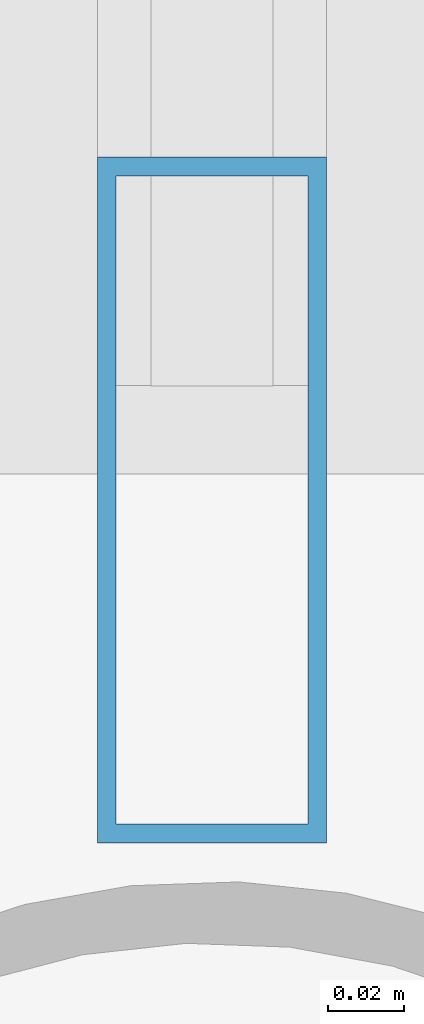
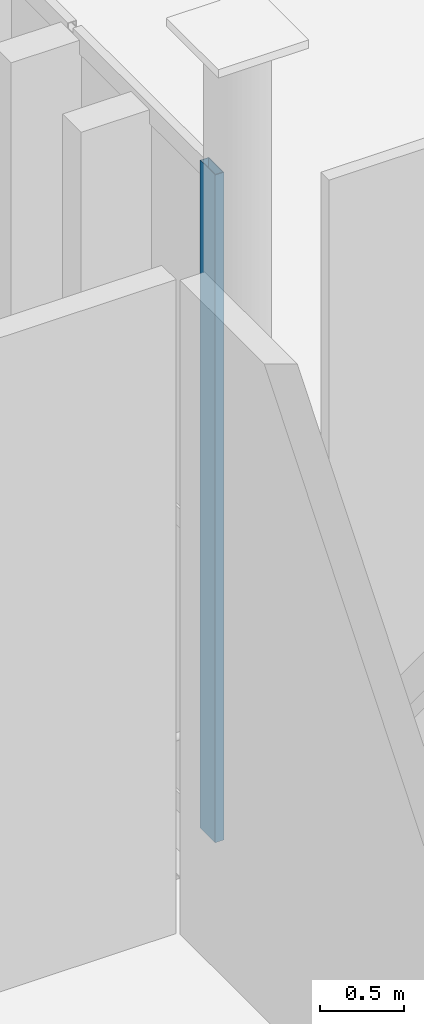
# One storey, part 88 of 237: 1 member, 1 element without a shape of its own.
"""IFC4 building model written with IfcOpenShell, lengths in metres."""

from ifc_helpers import new_model, si_unit, direction, frame, origin, origin_2d, place, context, subcontext, project, spatial, hollow_rectangle, extrude, material, layer, layer_set, material_profile, profile_set, type_object, element, aggregate, save


model = new_model("IFC4")

# Units and contexts
model_context = context("Model", 3, precision=1e-05, world=origin(), true_north=direction((0.0, 1.0)))
body_context = subcontext(model_context, "Body", "Model", "MODEL_VIEW")
ifc_project = project(units=[si_unit("LENGTHUNIT", "METRE"), si_unit("AREAUNIT", "SQUARE_METRE"), si_unit("VOLUMEUNIT", "CUBIC_METRE"), si_unit("PLANEANGLEUNIT", "RADIAN"), si_unit("MASSUNIT", "GRAM", prefix="KILO")], contexts=[model_context])

# Site, building, storey
site_placement = place(None, origin())
site = spatial("IfcSite", under=ifc_project, at=site_placement, CompositionType="ELEMENT")
building_placement = place(site_placement, origin())
building = spatial("IfcBuilding", under=site, at=building_placement, Name="Barlavento Convention Centre", CompositionType="ELEMENT")
storey_placement = place(building_placement, frame((0.0, 0.0, 12.0)))
storey = spatial("IfcBuildingStorey", under=building, at=storey_placement, Name="L02", CompositionType="ELEMENT", Elevation=12.0)

# Curtain wall, member
ifc_material_1 = material(Name="Powder-coated aluminium and Low-E glass", Category="aluminium")
ifc_layer = layer(ifc_material_1, 0.195068359375)
ifc_layer_set = layer_set([ifc_layer], Name="ARC-CW-BALL-L02")
curtain_wall_type = type_object("IfcCurtainWallType", Name="ARC-CW-BALL-L02", PredefinedType="NOTDEFINED", material=ifc_layer_set)
curtain_wall_placement = place(storey_placement, origin())
curtain_wall = element("IfcCurtainWall", 1, at=curtain_wall_placement, inside=storey, type_object=curtain_wall_type, Name="L02 unitised curtain wall CW07", PredefinedType="NOTDEFINED")
ifc_material_2 = material(Name="Powder-coated aluminium", Category="aluminium")
ifc_material_profile = material_profile(ifc_material_2, hollow_rectangle(XDim=0.06005859375, YDim=0.179931640625, WallThickness=0.0048828125, at=origin_2d()), Name="AL-MULL 60x180x5")
ifc_profile_set = profile_set([ifc_material_profile], Name="Powder-coated aluminium")
member_type = type_object("IfcMemberType", Name="ARC-CWM-60X180", PredefinedType="MULLION", material=ifc_profile_set)
member_placement = place(storey_placement, frame((126.0, 63.30322265625, 0.0), z_axis=(0.0, 0.0, 1.0), x_axis=(-1.0, 0.0, 0.0)))
member = element("IfcMember", 2, at=member_placement, type_object=member_type, Name="CW07 mullion 1", PredefinedType="MULLION", context=body_context, shape_type="SweptSolid", body=[
    extrude(hollow_rectangle(XDim=0.06005859375, YDim=0.179931640625, WallThickness=0.0048828125, at=origin_2d()), origin(), (0.0, 0.0, 1.0), 4.85009765625),
])
aggregate(curtain_wall, [member])

save(model, "model.ifc")
